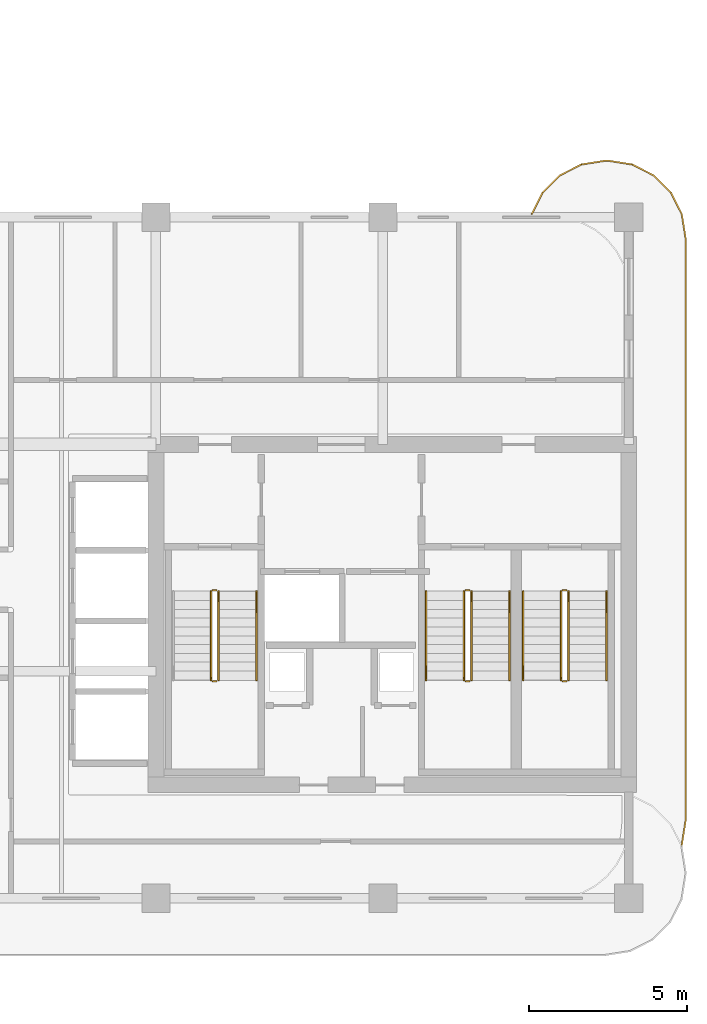
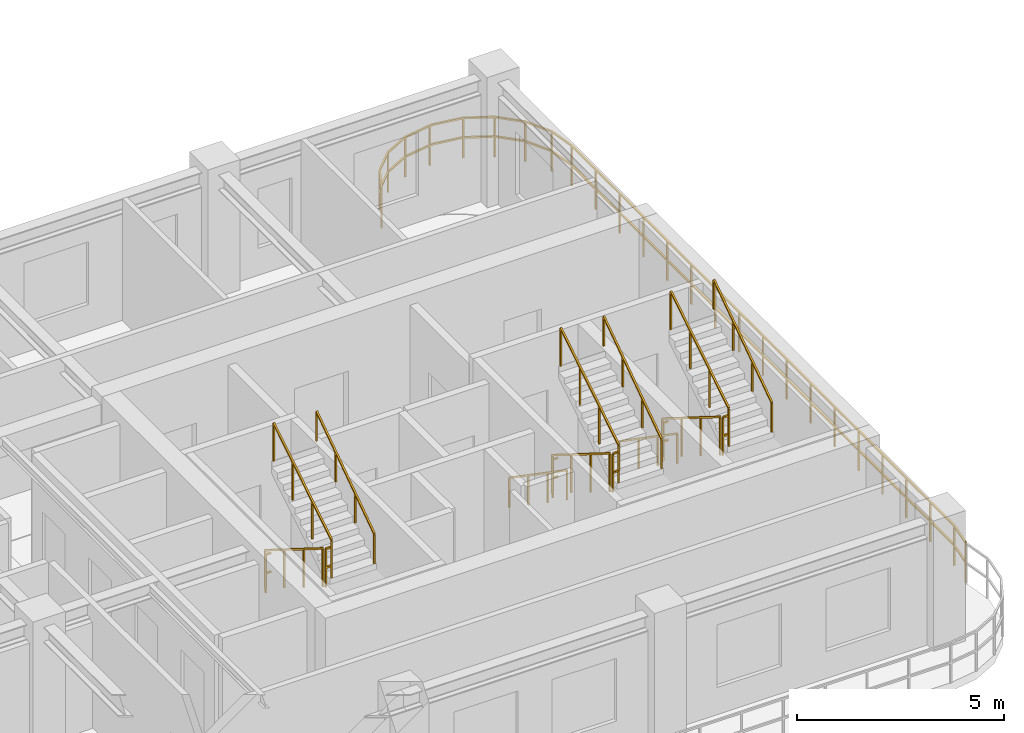
# One storey, part 8 of 8: 18 railings.
"""IFC4 building model written with IfcOpenShell, lengths in metres."""

from ifc_helpers import new_model, si_unit, derived_unit, direction, frame, origin, origin_2d, place, context, subcontext, project, spatial, rectangle, extrude, material, type_object, element, save


model = new_model("IFC4")

# Units and contexts
model_context = context("Model", 3, precision=1e-05, world=origin(), true_north=direction((0.0, 1.0)))
body_context = subcontext(model_context, "Body", "Model", "MODEL_VIEW")
ifc_project = project(units=[si_unit("LENGTHUNIT", "METRE"), si_unit("AREAUNIT", "SQUARE_METRE"), si_unit("VOLUMEUNIT", "CUBIC_METRE"), si_unit("PLANEANGLEUNIT", "RADIAN"), si_unit("MASSUNIT", "GRAM", prefix="KILO"), si_unit("THERMODYNAMICTEMPERATUREUNIT", "KELVIN"), si_unit("POWERUNIT", "WATT"), derived_unit("THERMALTRANSMITTANCEUNIT", [(si_unit("POWERUNIT", "WATT"), 1), (si_unit("AREAUNIT", "SQUARE_METRE"), -1), (si_unit("THERMODYNAMICTEMPERATUREUNIT", "KELVIN"), -1)])], contexts=[model_context])

# Site, building, storey
site_placement = place(None, origin())
site = spatial("IfcSite", under=ifc_project, at=site_placement, CompositionType="ELEMENT")
building_placement = place(site_placement, origin())
building = spatial("IfcBuilding", under=site, at=building_placement, Name="Zahravan Archway Hotel and Residences", CompositionType="ELEMENT")
storey_placement = place(building_placement, frame((0.0, 0.0, 213.449951171875)))
storey = spatial("IfcBuildingStorey", under=building, at=storey_placement, Name="L53", CompositionType="ELEMENT", Elevation=213.449951171875)

# Railings
ifc_material_1 = material(Name="Bronze & Laminated Glass Balustrade", Category="glass")
railing_type_1 = type_object("IfcRailingType", Name="RL-BAL-1200", PredefinedType="BALUSTRADE", material=ifc_material_1)
railing_1_placement = place(storey_placement, frame((46.719970703125, 21.70703125, 0.0)))
element("IfcRailing", 1, at=railing_1_placement, inside=storey, type_object=railing_type_1, Name="L53 Balustrade RL-SLB-BAL-L53-EA-1", PredefinedType="BALUSTRADE", context=body_context, shape_type="SweptSolid", body=[
    extrude(rectangle(XDim=0.048095703125, YDim=0.048095703125, at=origin_2d()), frame((0.0, 0.0, 1.17578125), z_axis=(0.453825591531, 0.891090529897, 0.0), x_axis=(-0.891090529897, 0.453825591531, 0.0)), (0.0, 0.0, 1.0), 0.7666015625),
    extrude(rectangle(XDim=0.048095703125, YDim=0.048095703125, at=origin_2d()), frame((0.0, 0.0, 0.60009765625), z_axis=(0.453825591531, 0.891090529897, 0.0), x_axis=(-0.891090529897, 0.453825591531, 0.0)), (0.0, 0.0, 1.0), 0.7666015625),
    extrude(rectangle(XDim=0.048095703125, YDim=0.048095703125, at=origin_2d()), frame((0.347900390625, 0.68310546875, 1.17578125), z_axis=(0.707106781187, 0.707106781187, 0.0), x_axis=(-0.707106781187, 0.707106781187, 0.0)), (0.0, 0.0, 1.0), 0.7666015625),
    extrude(rectangle(XDim=0.048095703125, YDim=0.048095703125, at=origin_2d()), frame((0.347900390625, 0.68310546875, 0.60009765625), z_axis=(0.707106781187, 0.707106781187, 0.0), x_axis=(-0.707106781187, 0.707106781187, 0.0)), (0.0, 0.0, 1.0), 0.7666015625),
    extrude(rectangle(XDim=0.048095703125, YDim=0.048095703125, at=origin_2d()), frame((0.889892578125, 1.22509765625, 1.17578125), z_axis=(0.891090529897, 0.453825591531, 0.0), x_axis=(-0.453825591531, 0.891090529897, 0.0)), (0.0, 0.0, 1.0), 0.7666015625),
    extrude(rectangle(XDim=0.048095703125, YDim=0.048095703125, at=origin_2d()), frame((0.889892578125, 1.22509765625, 0.60009765625), z_axis=(0.891090529897, 0.453825591531, 0.0), x_axis=(-0.453825591531, 0.891090529897, 0.0)), (0.0, 0.0, 1.0), 0.7666015625),
    extrude(rectangle(XDim=0.048095703125, YDim=0.048095703125, at=origin_2d()), frame((1.572998046875, 1.572998046875, 1.17578125), z_axis=(0.987695728695, 0.156387811283, 0.0), x_axis=(-0.156387811283, 0.987695728695, 0.0)), (0.0, 0.0, 1.0), 0.7666015625),
    extrude(rectangle(XDim=0.048095703125, YDim=0.048095703125, at=origin_2d()), frame((1.572998046875, 1.572998046875, 0.60009765625), z_axis=(0.987695728695, 0.156387811283, 0.0), x_axis=(-0.156387811283, 0.987695728695, 0.0)), (0.0, 0.0, 1.0), 0.7666015625),
    extrude(rectangle(XDim=0.048095703125, YDim=0.048095703125, at=origin_2d()), frame((2.330078125, 1.69287109375, 1.17578125), z_axis=(1.0, 0.0, 0.0), x_axis=(0.0, 1.0, 0.0)), (0.0, 0.0, 1.0), 0.099853515625),
    extrude(rectangle(XDim=0.048095703125, YDim=0.048095703125, at=origin_2d()), frame((2.330078125, 1.69287109375, 0.60009765625), z_axis=(1.0, 0.0, 0.0), x_axis=(0.0, 1.0, 0.0)), (0.0, 0.0, 1.0), 0.099853515625),
    extrude(rectangle(XDim=0.048095703125, YDim=0.048095703125, at=origin_2d()), frame((2.429931640625, 1.69287109375, 1.17578125), z_axis=(0.987695728695, -0.156387811283, 0.0), x_axis=(0.156387811283, 0.987695728695, 0.0)), (0.0, 0.0, 1.0), 0.7666015625),
    extrude(rectangle(XDim=0.048095703125, YDim=0.048095703125, at=origin_2d()), frame((2.429931640625, 1.69287109375, 0.60009765625), z_axis=(0.987695728695, -0.156387811283, 0.0), x_axis=(0.156387811283, 0.987695728695, 0.0)), (0.0, 0.0, 1.0), 0.7666015625),
    extrude(rectangle(XDim=0.048095703125, YDim=0.048095703125, at=origin_2d()), frame((3.18701171875, 1.572998046875, 1.17578125), z_axis=(0.891090529897, -0.453825591531, 0.0), x_axis=(0.453825591531, 0.891090529897, 0.0)), (0.0, 0.0, 1.0), 0.7666015625),
    extrude(rectangle(XDim=0.048095703125, YDim=0.048095703125, at=origin_2d()), frame((3.18701171875, 1.572998046875, 0.60009765625), z_axis=(0.891090529897, -0.453825591531, 0.0), x_axis=(0.453825591531, 0.891090529897, 0.0)), (0.0, 0.0, 1.0), 0.7666015625),
    extrude(rectangle(XDim=0.048095703125, YDim=0.048095703125, at=origin_2d()), frame((3.8701171875, 1.22509765625, 1.17578125), z_axis=(0.707106781187, -0.707106781187, 0.0), x_axis=(0.707106781187, 0.707106781187, 0.0)), (0.0, 0.0, 1.0), 0.7666015625),
    extrude(rectangle(XDim=0.048095703125, YDim=0.048095703125, at=origin_2d()), frame((3.8701171875, 1.22509765625, 0.60009765625), z_axis=(0.707106781187, -0.707106781187, 0.0), x_axis=(0.707106781187, 0.707106781187, 0.0)), (0.0, 0.0, 1.0), 0.7666015625),
    extrude(rectangle(XDim=0.048095703125, YDim=0.048095703125, at=origin_2d()), frame((4.412109375, 0.68310546875, 1.17578125), z_axis=(0.453825591531, -0.891090529897, 0.0), x_axis=(0.891090529897, 0.453825591531, 0.0)), (0.0, 0.0, 1.0), 0.7666015625),
    extrude(rectangle(XDim=0.048095703125, YDim=0.048095703125, at=origin_2d()), frame((4.412109375, 0.68310546875, 0.60009765625), z_axis=(0.453825591531, -0.891090529897, 0.0), x_axis=(0.891090529897, 0.453825591531, 0.0)), (0.0, 0.0, 1.0), 0.7666015625),
    extrude(rectangle(XDim=0.048095703125, YDim=0.048095703125, at=origin_2d()), frame((4.760009765625, 0.0, 1.17578125), z_axis=(0.156698507018, -0.987646484274, 0.0), x_axis=(0.987646484274, 0.156698507018, 0.0)), (0.0, 0.0, 1.0), 0.7666015625),
    extrude(rectangle(XDim=0.048095703125, YDim=0.048095703125, at=origin_2d()), frame((4.760009765625, 0.0, 0.60009765625), z_axis=(0.156698507018, -0.987646484274, 0.0), x_axis=(0.987646484274, 0.156698507018, 0.0)), (0.0, 0.0, 1.0), 0.7666015625),
    extrude(rectangle(XDim=0.048095703125, YDim=0.048095703125, at=origin_2d()), frame((4.880126953125, -0.757080078125, 1.17578125), z_axis=(0.0, -1.0, 0.0), x_axis=(1.0, 0.0, 0.0)), (0.0, 0.0, 1.0), 18.5),
    extrude(rectangle(XDim=0.048095703125, YDim=0.048095703125, at=origin_2d()), frame((4.880126953125, -0.757080078125, 0.60009765625), z_axis=(0.0, -1.0, 0.0), x_axis=(1.0, 0.0, 0.0)), (0.0, 0.0, 1.0), 18.5),
    extrude(rectangle(XDim=0.048095703125, YDim=0.048095703125, at=origin_2d()), frame((4.880126953125, -19.257080078125, 1.17578125), z_axis=(-0.156698507018, -0.987646484274, 0.0), x_axis=(0.987646484274, -0.156698507018, 0.0)), (0.0, 0.0, 1.0), 0.7666015625),
    extrude(rectangle(XDim=0.048095703125, YDim=0.048095703125, at=origin_2d()), frame((4.880126953125, -19.257080078125, 0.60009765625), z_axis=(-0.156698507018, -0.987646484274, 0.0), x_axis=(0.987646484274, -0.156698507018, 0.0)), (0.0, 0.0, 1.0), 0.7666015625),
    extrude(rectangle(XDim=0.0419921875, YDim=0.0419921875, at=origin_2d()), origin(), (0.0, 0.0, 1.0), 1.15185546875),
    extrude(rectangle(XDim=0.0419921875, YDim=0.0419921875, at=origin_2d()), frame((0.347900390625, 0.68310546875, 0.0)), (0.0, 0.0, 1.0), 1.15185546875),
    extrude(rectangle(XDim=0.0419921875, YDim=0.0419921875, at=origin_2d()), frame((0.889892578125, 1.22509765625, 0.0)), (0.0, 0.0, 1.0), 1.15185546875),
    extrude(rectangle(XDim=0.0419921875, YDim=0.0419921875, at=origin_2d()), frame((1.572998046875, 1.572998046875, 0.0)), (0.0, 0.0, 1.0), 1.15185546875),
    extrude(rectangle(XDim=0.0419921875, YDim=0.0419921875, at=origin_2d()), frame((2.330078125, 1.69287109375, 0.0)), (0.0, 0.0, 1.0), 1.15185546875),
    extrude(rectangle(XDim=0.0419921875, YDim=0.0419921875, at=origin_2d()), frame((3.18701171875, 1.572998046875, 0.0)), (0.0, 0.0, 1.0), 1.15185546875),
    extrude(rectangle(XDim=0.0419921875, YDim=0.0419921875, at=origin_2d()), frame((3.8701171875, 1.22509765625, 0.0)), (0.0, 0.0, 1.0), 1.15185546875),
    extrude(rectangle(XDim=0.0419921875, YDim=0.0419921875, at=origin_2d()), frame((4.412109375, 0.68310546875, 0.0)), (0.0, 0.0, 1.0), 1.15185546875),
    extrude(rectangle(XDim=0.0419921875, YDim=0.0419921875, at=origin_2d()), frame((4.760009765625, 0.0, 0.0)), (0.0, 0.0, 1.0), 1.15185546875),
    extrude(rectangle(XDim=0.0419921875, YDim=0.0419921875, at=origin_2d()), frame((4.880126953125, -0.757080078125, 0.0)), (0.0, 0.0, 1.0), 1.15185546875),
    extrude(rectangle(XDim=0.0419921875, YDim=0.0419921875, at=origin_2d()), frame((4.880126953125, -1.913330078125, 0.0)), (0.0, 0.0, 1.0), 1.15185546875),
    extrude(rectangle(XDim=0.0419921875, YDim=0.0419921875, at=origin_2d()), frame((4.880126953125, -3.069580078125, 0.0)), (0.0, 0.0, 1.0), 1.15185546875),
    extrude(rectangle(XDim=0.0419921875, YDim=0.0419921875, at=origin_2d()), frame((4.880126953125, -4.225830078125, 0.0)), (0.0, 0.0, 1.0), 1.15185546875),
    extrude(rectangle(XDim=0.0419921875, YDim=0.0419921875, at=origin_2d()), frame((4.880126953125, -5.382080078125, 0.0)), (0.0, 0.0, 1.0), 1.15185546875),
    extrude(rectangle(XDim=0.0419921875, YDim=0.0419921875, at=origin_2d()), frame((4.880126953125, -6.538330078125, 0.0)), (0.0, 0.0, 1.0), 1.15185546875),
    extrude(rectangle(XDim=0.0419921875, YDim=0.0419921875, at=origin_2d()), frame((4.880126953125, -7.694580078125, 0.0)), (0.0, 0.0, 1.0), 1.15185546875),
    extrude(rectangle(XDim=0.0419921875, YDim=0.0419921875, at=origin_2d()), frame((4.880126953125, -8.850830078125, 0.0)), (0.0, 0.0, 1.0), 1.15185546875),
    extrude(rectangle(XDim=0.0419921875, YDim=0.0419921875, at=origin_2d()), frame((4.880126953125, -10.007080078125, 0.0)), (0.0, 0.0, 1.0), 1.15185546875),
    extrude(rectangle(XDim=0.0419921875, YDim=0.0419921875, at=origin_2d()), frame((4.880126953125, -11.163330078125, 0.0)), (0.0, 0.0, 1.0), 1.15185546875),
    extrude(rectangle(XDim=0.0419921875, YDim=0.0419921875, at=origin_2d()), frame((4.880126953125, -12.319580078125, 0.0)), (0.0, 0.0, 1.0), 1.15185546875),
    extrude(rectangle(XDim=0.0419921875, YDim=0.0419921875, at=origin_2d()), frame((4.880126953125, -13.475830078125, 0.0)), (0.0, 0.0, 1.0), 1.15185546875),
    extrude(rectangle(XDim=0.0419921875, YDim=0.0419921875, at=origin_2d()), frame((4.880126953125, -14.632080078125, 0.0)), (0.0, 0.0, 1.0), 1.15185546875),
    extrude(rectangle(XDim=0.0419921875, YDim=0.0419921875, at=origin_2d()), frame((4.880126953125, -15.788330078125, 0.0)), (0.0, 0.0, 1.0), 1.15185546875),
    extrude(rectangle(XDim=0.0419921875, YDim=0.0419921875, at=origin_2d()), frame((4.880126953125, -16.944580078125, 0.0)), (0.0, 0.0, 1.0), 1.15185546875),
    extrude(rectangle(XDim=0.0419921875, YDim=0.0419921875, at=origin_2d()), frame((4.880126953125, -18.100830078125, 0.0)), (0.0, 0.0, 1.0), 1.15185546875),
    extrude(rectangle(XDim=0.0419921875, YDim=0.0419921875, at=origin_2d()), frame((4.880126953125, -19.257080078125, 0.0)), (0.0, 0.0, 1.0), 1.15185546875),
    extrude(rectangle(XDim=0.0419921875, YDim=0.0419921875, at=origin_2d()), frame((4.760009765625, -20.01416015625, 0.0)), (0.0, 0.0, 1.0), 1.15185546875),
])
ifc_material_2 = material(Name="Painted Tubular Steel", Category="steel")
railing_type_2 = type_object("IfcRailingType", Name="RL-STG-1150", PredefinedType="GUARDRAIL", material=ifc_material_2)
railing_2_placement = place(storey_placement, frame((36.550048828125, 9.72998046875, 0.175048828125)))
element("IfcRailing", 2, at=railing_2_placement, inside=storey, type_object=railing_type_2, Name="L53 ST-A1 stair guard 1", PredefinedType="GUARDRAIL", context=body_context, shape_type="SweptSolid", body=[
    extrude(rectangle(XDim=0.048095703125, YDim=0.048095703125, at=origin_2d()), frame((0.0, 0.0, 1.1259765625), z_axis=(0.0, -0.848002457836, 0.529992293815), x_axis=(1.0, 0.0, 0.0)), (0.0, 0.0, 1.0), 3.302001953125),
    extrude(rectangle(XDim=0.0419921875, YDim=0.0419921875, at=origin_2d()), origin(), (0.0, 0.0, 1.0), 1.101806640625),
    extrude(rectangle(XDim=0.0419921875, YDim=0.0419921875, at=origin_2d()), frame((0.0, -0.933349609375, 0.583251953125)), (0.0, 0.0, 1.0), 1.101806640625),
    extrude(rectangle(XDim=0.0419921875, YDim=0.0419921875, at=origin_2d()), frame((0.0, -1.86669921875, 1.166748046875)), (0.0, 0.0, 1.0), 1.101806640625),
    extrude(rectangle(XDim=0.0419921875, YDim=0.0419921875, at=origin_2d()), frame((0.0, -2.800048828125, 1.75)), (0.0, 0.0, 1.0), 1.101806640625),
])
railing_3_placement = place(storey_placement, frame((36.60009765625, 6.8798828125, 1.925048828125)))
element("IfcRailing", 3, at=railing_3_placement, inside=storey, type_object=railing_type_2, Name="L53 ST-A1 stair guard 2", PredefinedType="GUARDRAIL", context=body_context, shape_type="SweptSolid", body=[
    extrude(rectangle(XDim=0.048095703125, YDim=0.048095703125, at=origin_2d()), frame((0.0, 0.0, 1.1259765625), z_axis=(1.0, 0.0, 0.0), x_axis=(0.0, 1.0, 0.0)), (0.0, 0.0, 1.0), 0.139892578125),
    extrude(rectangle(XDim=0.048095703125, YDim=0.048095703125, at=origin_2d()), frame((0.0, 0.0, 0.574951171875), z_axis=(1.0, 0.0, 0.0), x_axis=(0.0, 1.0, 0.0)), (0.0, 0.0, 1.0), 0.139892578125),
    extrude(rectangle(XDim=0.0419921875, YDim=0.0419921875, at=origin_2d()), origin(), (0.0, 0.0, 1.0), 1.101806640625),
])
railing_4_placement = place(storey_placement, frame((36.7900390625, 6.929931640625, 2.10009765625)))
element("IfcRailing", 4, at=railing_4_placement, inside=storey, type_object=railing_type_2, Name="L53 ST-A1 stair guard 3", PredefinedType="GUARDRAIL", context=body_context, shape_type="SweptSolid", body=[
    extrude(rectangle(XDim=0.048095703125, YDim=0.048095703125, at=origin_2d()), frame((0.0, 0.0, 1.1259765625), z_axis=(0.0, 0.848002457836, 0.529992293815), x_axis=(-1.0, 0.0, 0.0)), (0.0, 0.0, 1.0), 3.302001953125),
    extrude(rectangle(XDim=0.0419921875, YDim=0.0419921875, at=origin_2d()), origin(), (0.0, 0.0, 1.0), 1.101806640625),
    extrude(rectangle(XDim=0.0419921875, YDim=0.0419921875, at=origin_2d()), frame((0.0, 0.933349609375, 0.583251953125)), (0.0, 0.0, 1.0), 1.101806640625),
    extrude(rectangle(XDim=0.0419921875, YDim=0.0419921875, at=origin_2d()), frame((0.0, 1.86669921875, 1.166748046875)), (0.0, 0.0, 1.0), 1.101806640625),
    extrude(rectangle(XDim=0.0419921875, YDim=0.0419921875, at=origin_2d()), frame((0.0, 2.800048828125, 1.75)), (0.0, 0.0, 1.0), 1.101806640625),
])
railing_5_placement = place(storey_placement, frame((36.60009765625, 9.780029296875, 0.0)))
element("IfcRailing", 5, at=railing_5_placement, inside=storey, type_object=railing_type_2, Name="L53 ST-A1 stair guard 4", PredefinedType="GUARDRAIL", context=body_context, shape_type="SweptSolid", body=[
    extrude(rectangle(XDim=0.048095703125, YDim=0.048095703125, at=origin_2d()), frame((0.0, 0.0, 1.1259765625), z_axis=(1.0, 0.0, 0.0), x_axis=(0.0, 1.0, 0.0)), (0.0, 0.0, 1.0), 0.139892578125),
    extrude(rectangle(XDim=0.048095703125, YDim=0.048095703125, at=origin_2d()), frame((0.0, 0.0, 0.574951171875), z_axis=(1.0, 0.0, 0.0), x_axis=(0.0, 1.0, 0.0)), (0.0, 0.0, 1.0), 0.139892578125),
    extrude(rectangle(XDim=0.0419921875, YDim=0.0419921875, at=origin_2d()), origin(), (0.0, 0.0, 1.0), 1.101806640625),
])
railing_6_placement = place(storey_placement, frame((44.570068359375, 9.72998046875, 0.175048828125)))
element("IfcRailing", 6, at=railing_6_placement, inside=storey, type_object=railing_type_2, Name="L53 ST-A2 stair guard 1", PredefinedType="GUARDRAIL", context=body_context, shape_type="SweptSolid", body=[
    extrude(rectangle(XDim=0.048095703125, YDim=0.048095703125, at=origin_2d()), frame((0.0, 0.0, 1.1259765625), z_axis=(0.0, -0.848002457836, 0.529992293815), x_axis=(1.0, 0.0, 0.0)), (0.0, 0.0, 1.0), 3.302001953125),
    extrude(rectangle(XDim=0.0419921875, YDim=0.0419921875, at=origin_2d()), origin(), (0.0, 0.0, 1.0), 1.101806640625),
    extrude(rectangle(XDim=0.0419921875, YDim=0.0419921875, at=origin_2d()), frame((0.0, -0.933349609375, 0.583251953125)), (0.0, 0.0, 1.0), 1.101806640625),
    extrude(rectangle(XDim=0.0419921875, YDim=0.0419921875, at=origin_2d()), frame((0.0, -1.86669921875, 1.166748046875)), (0.0, 0.0, 1.0), 1.101806640625),
    extrude(rectangle(XDim=0.0419921875, YDim=0.0419921875, at=origin_2d()), frame((0.0, -2.800048828125, 1.75)), (0.0, 0.0, 1.0), 1.101806640625),
])
railing_7_placement = place(storey_placement, frame((44.6201171875, 6.8798828125, 1.925048828125)))
element("IfcRailing", 7, at=railing_7_placement, inside=storey, type_object=railing_type_2, Name="L53 ST-A2 stair guard 2", PredefinedType="GUARDRAIL", context=body_context, shape_type="SweptSolid", body=[
    extrude(rectangle(XDim=0.048095703125, YDim=0.048095703125, at=origin_2d()), frame((0.0, 0.0, 1.1259765625), z_axis=(1.0, 0.0, 0.0), x_axis=(0.0, 1.0, 0.0)), (0.0, 0.0, 1.0), 0.139892578125),
    extrude(rectangle(XDim=0.048095703125, YDim=0.048095703125, at=origin_2d()), frame((0.0, 0.0, 0.574951171875), z_axis=(1.0, 0.0, 0.0), x_axis=(0.0, 1.0, 0.0)), (0.0, 0.0, 1.0), 0.139892578125),
    extrude(rectangle(XDim=0.0419921875, YDim=0.0419921875, at=origin_2d()), origin(), (0.0, 0.0, 1.0), 1.101806640625),
])
railing_8_placement = place(storey_placement, frame((44.81005859375, 6.929931640625, 2.10009765625)))
element("IfcRailing", 8, at=railing_8_placement, inside=storey, type_object=railing_type_2, Name="L53 ST-A2 stair guard 3", PredefinedType="GUARDRAIL", context=body_context, shape_type="SweptSolid", body=[
    extrude(rectangle(XDim=0.048095703125, YDim=0.048095703125, at=origin_2d()), frame((0.0, 0.0, 1.1259765625), z_axis=(0.0, 0.848002457836, 0.529992293815), x_axis=(-1.0, 0.0, 0.0)), (0.0, 0.0, 1.0), 3.302001953125),
    extrude(rectangle(XDim=0.0419921875, YDim=0.0419921875, at=origin_2d()), origin(), (0.0, 0.0, 1.0), 1.101806640625),
    extrude(rectangle(XDim=0.0419921875, YDim=0.0419921875, at=origin_2d()), frame((0.0, 0.933349609375, 0.583251953125)), (0.0, 0.0, 1.0), 1.101806640625),
    extrude(rectangle(XDim=0.0419921875, YDim=0.0419921875, at=origin_2d()), frame((0.0, 1.86669921875, 1.166748046875)), (0.0, 0.0, 1.0), 1.101806640625),
    extrude(rectangle(XDim=0.0419921875, YDim=0.0419921875, at=origin_2d()), frame((0.0, 2.800048828125, 1.75)), (0.0, 0.0, 1.0), 1.101806640625),
])
railing_9_placement = place(storey_placement, frame((44.6201171875, 9.780029296875, 0.0)))
element("IfcRailing", 9, at=railing_9_placement, inside=storey, type_object=railing_type_2, Name="L53 ST-A2 stair guard 4", PredefinedType="GUARDRAIL", context=body_context, shape_type="SweptSolid", body=[
    extrude(rectangle(XDim=0.048095703125, YDim=0.048095703125, at=origin_2d()), frame((0.0, 0.0, 1.1259765625), z_axis=(1.0, 0.0, 0.0), x_axis=(0.0, 1.0, 0.0)), (0.0, 0.0, 1.0), 0.139892578125),
    extrude(rectangle(XDim=0.048095703125, YDim=0.048095703125, at=origin_2d()), frame((0.0, 0.0, 0.574951171875), z_axis=(1.0, 0.0, 0.0), x_axis=(0.0, 1.0, 0.0)), (0.0, 0.0, 1.0), 0.139892578125),
    extrude(rectangle(XDim=0.0419921875, YDim=0.0419921875, at=origin_2d()), origin(), (0.0, 0.0, 1.0), 1.101806640625),
])
railing_10_placement = place(storey_placement, frame((47.64990234375, 9.72998046875, 0.175048828125)))
element("IfcRailing", 10, at=railing_10_placement, inside=storey, type_object=railing_type_2, Name="L53 ST-A3 stair guard 1", PredefinedType="GUARDRAIL", context=body_context, shape_type="SweptSolid", body=[
    extrude(rectangle(XDim=0.048095703125, YDim=0.048095703125, at=origin_2d()), frame((0.0, 0.0, 1.1259765625), z_axis=(0.0, -0.848002457836, 0.529992293815), x_axis=(1.0, 0.0, 0.0)), (0.0, 0.0, 1.0), 3.302001953125),
    extrude(rectangle(XDim=0.0419921875, YDim=0.0419921875, at=origin_2d()), origin(), (0.0, 0.0, 1.0), 1.101806640625),
    extrude(rectangle(XDim=0.0419921875, YDim=0.0419921875, at=origin_2d()), frame((0.0, -0.933349609375, 0.583251953125)), (0.0, 0.0, 1.0), 1.101806640625),
    extrude(rectangle(XDim=0.0419921875, YDim=0.0419921875, at=origin_2d()), frame((0.0, -1.86669921875, 1.166748046875)), (0.0, 0.0, 1.0), 1.101806640625),
    extrude(rectangle(XDim=0.0419921875, YDim=0.0419921875, at=origin_2d()), frame((0.0, -2.800048828125, 1.75)), (0.0, 0.0, 1.0), 1.101806640625),
])
railing_11_placement = place(storey_placement, frame((47.699951171875, 6.8798828125, 1.925048828125)))
element("IfcRailing", 11, at=railing_11_placement, inside=storey, type_object=railing_type_2, Name="L53 ST-A3 stair guard 2", PredefinedType="GUARDRAIL", context=body_context, shape_type="SweptSolid", body=[
    extrude(rectangle(XDim=0.048095703125, YDim=0.048095703125, at=origin_2d()), frame((0.0, 0.0, 1.1259765625), z_axis=(1.0, 0.0, 0.0), x_axis=(0.0, 1.0, 0.0)), (0.0, 0.0, 1.0), 0.14013671875),
    extrude(rectangle(XDim=0.048095703125, YDim=0.048095703125, at=origin_2d()), frame((0.0, 0.0, 0.574951171875), z_axis=(1.0, 0.0, 0.0), x_axis=(0.0, 1.0, 0.0)), (0.0, 0.0, 1.0), 0.14013671875),
    extrude(rectangle(XDim=0.0419921875, YDim=0.0419921875, at=origin_2d()), origin(), (0.0, 0.0, 1.0), 1.101806640625),
])
railing_12_placement = place(storey_placement, frame((47.889892578125, 6.929931640625, 2.10009765625)))
element("IfcRailing", 12, at=railing_12_placement, inside=storey, type_object=railing_type_2, Name="L53 ST-A3 stair guard 3", PredefinedType="GUARDRAIL", context=body_context, shape_type="SweptSolid", body=[
    extrude(rectangle(XDim=0.048095703125, YDim=0.048095703125, at=origin_2d()), frame((0.0, 0.0, 1.1259765625), z_axis=(0.0, 0.848002457836, 0.529992293815), x_axis=(-1.0, 0.0, 0.0)), (0.0, 0.0, 1.0), 3.302001953125),
    extrude(rectangle(XDim=0.0419921875, YDim=0.0419921875, at=origin_2d()), origin(), (0.0, 0.0, 1.0), 1.101806640625),
    extrude(rectangle(XDim=0.0419921875, YDim=0.0419921875, at=origin_2d()), frame((0.0, 0.933349609375, 0.583251953125)), (0.0, 0.0, 1.0), 1.101806640625),
    extrude(rectangle(XDim=0.0419921875, YDim=0.0419921875, at=origin_2d()), frame((0.0, 1.86669921875, 1.166748046875)), (0.0, 0.0, 1.0), 1.101806640625),
    extrude(rectangle(XDim=0.0419921875, YDim=0.0419921875, at=origin_2d()), frame((0.0, 2.800048828125, 1.75)), (0.0, 0.0, 1.0), 1.101806640625),
])
railing_13_placement = place(storey_placement, frame((47.699951171875, 9.780029296875, 0.0)))
element("IfcRailing", 13, at=railing_13_placement, inside=storey, type_object=railing_type_2, Name="L53 ST-A3 stair guard 4", PredefinedType="GUARDRAIL", context=body_context, shape_type="SweptSolid", body=[
    extrude(rectangle(XDim=0.048095703125, YDim=0.048095703125, at=origin_2d()), frame((0.0, 0.0, 1.1259765625), z_axis=(1.0, 0.0, 0.0), x_axis=(0.0, 1.0, 0.0)), (0.0, 0.0, 1.0), 0.14013671875),
    extrude(rectangle(XDim=0.048095703125, YDim=0.048095703125, at=origin_2d()), frame((0.0, 0.0, 0.574951171875), z_axis=(1.0, 0.0, 0.0), x_axis=(0.0, 1.0, 0.0)), (0.0, 0.0, 1.0), 0.14013671875),
    extrude(rectangle(XDim=0.0419921875, YDim=0.0419921875, at=origin_2d()), origin(), (0.0, 0.0, 1.0), 1.101806640625),
])
ifc_material_3 = material(Name="Brushed Stainless Steel", Category="steel")
railing_type_3 = type_object("IfcRailingType", Name="RL-STH-900", PredefinedType="HANDRAIL", material=ifc_material_3)
railing_14_placement = place(storey_placement, frame((37.989990234375, 6.929931640625, 2.10009765625)))
element("IfcRailing", 14, at=railing_14_placement, inside=storey, type_object=railing_type_3, Name="L53 ST-A1 stair handrail 2", PredefinedType="HANDRAIL", context=body_context, shape_type="SweptSolid", body=[
    extrude(rectangle(XDim=0.048095703125, YDim=0.048095703125, at=origin_2d()), frame((0.0, 0.0, 0.8759765625), z_axis=(0.0, 0.824039827795, 0.566531872191), x_axis=(-1.0, 0.0, 0.0)), (0.0, 0.0, 1.0), 3.39794921875),
    extrude(rectangle(XDim=0.0419921875, YDim=0.0419921875, at=origin_2d()), origin(), (0.0, 0.0, 1.0), 0.851806640625),
    extrude(rectangle(XDim=0.0419921875, YDim=0.0419921875, at=origin_2d()), frame((0.0, 0.933349609375, 0.6416015625)), (0.0, 0.0, 1.0), 0.851806640625),
    extrude(rectangle(XDim=0.0419921875, YDim=0.0419921875, at=origin_2d()), frame((0.0, 1.86669921875, 1.283447265625)), (0.0, 0.0, 1.0), 0.851806640625),
    extrude(rectangle(XDim=0.0419921875, YDim=0.0419921875, at=origin_2d()), frame((0.0, 2.800048828125, 1.925048828125)), (0.0, 0.0, 1.0), 0.851806640625),
])
railing_15_placement = place(storey_placement, frame((43.3701171875, 9.72998046875, 0.175048828125)))
element("IfcRailing", 15, at=railing_15_placement, inside=storey, type_object=railing_type_3, Name="L53 ST-A2 stair handrail 1", PredefinedType="HANDRAIL", context=body_context, shape_type="SweptSolid", body=[
    extrude(rectangle(XDim=0.048095703125, YDim=0.048095703125, at=origin_2d()), frame((0.0, 0.0, 0.8759765625), z_axis=(0.0, -0.824039827795, 0.566531872191), x_axis=(1.0, 0.0, 0.0)), (0.0, 0.0, 1.0), 3.39794921875),
    extrude(rectangle(XDim=0.0419921875, YDim=0.0419921875, at=origin_2d()), origin(), (0.0, 0.0, 1.0), 0.851806640625),
    extrude(rectangle(XDim=0.0419921875, YDim=0.0419921875, at=origin_2d()), frame((0.0, -0.933349609375, 0.6416015625)), (0.0, 0.0, 1.0), 0.851806640625),
    extrude(rectangle(XDim=0.0419921875, YDim=0.0419921875, at=origin_2d()), frame((0.0, -1.86669921875, 1.283447265625)), (0.0, 0.0, 1.0), 0.851806640625),
    extrude(rectangle(XDim=0.0419921875, YDim=0.0419921875, at=origin_2d()), frame((0.0, -2.800048828125, 1.925048828125)), (0.0, 0.0, 1.0), 0.851806640625),
])
railing_16_placement = place(storey_placement, frame((46.010009765625, 6.929931640625, 2.10009765625)))
element("IfcRailing", 16, at=railing_16_placement, inside=storey, type_object=railing_type_3, Name="L53 ST-A2 stair handrail 2", PredefinedType="HANDRAIL", context=body_context, shape_type="SweptSolid", body=[
    extrude(rectangle(XDim=0.048095703125, YDim=0.048095703125, at=origin_2d()), frame((0.0, 0.0, 0.8759765625), z_axis=(0.0, 0.824039827795, 0.566531872191), x_axis=(-1.0, 0.0, 0.0)), (0.0, 0.0, 1.0), 3.39794921875),
    extrude(rectangle(XDim=0.0419921875, YDim=0.0419921875, at=origin_2d()), origin(), (0.0, 0.0, 1.0), 0.851806640625),
    extrude(rectangle(XDim=0.0419921875, YDim=0.0419921875, at=origin_2d()), frame((0.0, 0.933349609375, 0.6416015625)), (0.0, 0.0, 1.0), 0.851806640625),
    extrude(rectangle(XDim=0.0419921875, YDim=0.0419921875, at=origin_2d()), frame((0.0, 1.86669921875, 1.283447265625)), (0.0, 0.0, 1.0), 0.851806640625),
    extrude(rectangle(XDim=0.0419921875, YDim=0.0419921875, at=origin_2d()), frame((0.0, 2.800048828125, 1.925048828125)), (0.0, 0.0, 1.0), 0.851806640625),
])
railing_17_placement = place(storey_placement, frame((46.449951171875, 9.72998046875, 0.175048828125)))
element("IfcRailing", 17, at=railing_17_placement, inside=storey, type_object=railing_type_3, Name="L53 ST-A3 stair handrail 1", PredefinedType="HANDRAIL", context=body_context, shape_type="SweptSolid", body=[
    extrude(rectangle(XDim=0.048095703125, YDim=0.048095703125, at=origin_2d()), frame((0.0, 0.0, 0.8759765625), z_axis=(0.0, -0.824039827795, 0.566531872191), x_axis=(1.0, 0.0, 0.0)), (0.0, 0.0, 1.0), 3.39794921875),
    extrude(rectangle(XDim=0.0419921875, YDim=0.0419921875, at=origin_2d()), origin(), (0.0, 0.0, 1.0), 0.851806640625),
    extrude(rectangle(XDim=0.0419921875, YDim=0.0419921875, at=origin_2d()), frame((0.0, -0.933349609375, 0.6416015625)), (0.0, 0.0, 1.0), 0.851806640625),
    extrude(rectangle(XDim=0.0419921875, YDim=0.0419921875, at=origin_2d()), frame((0.0, -1.86669921875, 1.283447265625)), (0.0, 0.0, 1.0), 0.851806640625),
    extrude(rectangle(XDim=0.0419921875, YDim=0.0419921875, at=origin_2d()), frame((0.0, -2.800048828125, 1.925048828125)), (0.0, 0.0, 1.0), 0.851806640625),
])
railing_18_placement = place(storey_placement, frame((49.090087890625, 6.929931640625, 2.10009765625)))
element("IfcRailing", 18, at=railing_18_placement, inside=storey, type_object=railing_type_3, Name="L53 ST-A3 stair handrail 2", PredefinedType="HANDRAIL", context=body_context, shape_type="SweptSolid", body=[
    extrude(rectangle(XDim=0.048095703125, YDim=0.048095703125, at=origin_2d()), frame((0.0, 0.0, 0.8759765625), z_axis=(0.0, 0.824039827795, 0.566531872191), x_axis=(-1.0, 0.0, 0.0)), (0.0, 0.0, 1.0), 3.39794921875),
    extrude(rectangle(XDim=0.0419921875, YDim=0.0419921875, at=origin_2d()), origin(), (0.0, 0.0, 1.0), 0.851806640625),
    extrude(rectangle(XDim=0.0419921875, YDim=0.0419921875, at=origin_2d()), frame((0.0, 0.933349609375, 0.6416015625)), (0.0, 0.0, 1.0), 0.851806640625),
    extrude(rectangle(XDim=0.0419921875, YDim=0.0419921875, at=origin_2d()), frame((0.0, 1.86669921875, 1.283447265625)), (0.0, 0.0, 1.0), 0.851806640625),
    extrude(rectangle(XDim=0.0419921875, YDim=0.0419921875, at=origin_2d()), frame((0.0, 2.800048828125, 1.925048828125)), (0.0, 0.0, 1.0), 0.851806640625),
])

save(model, "model.ifc")
